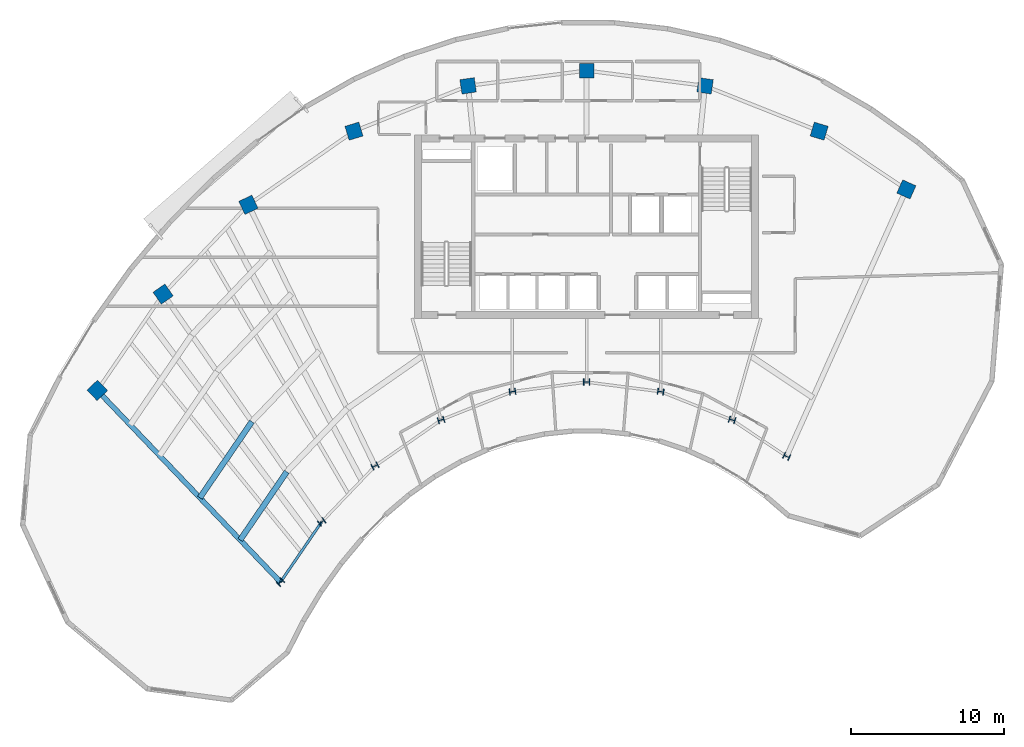
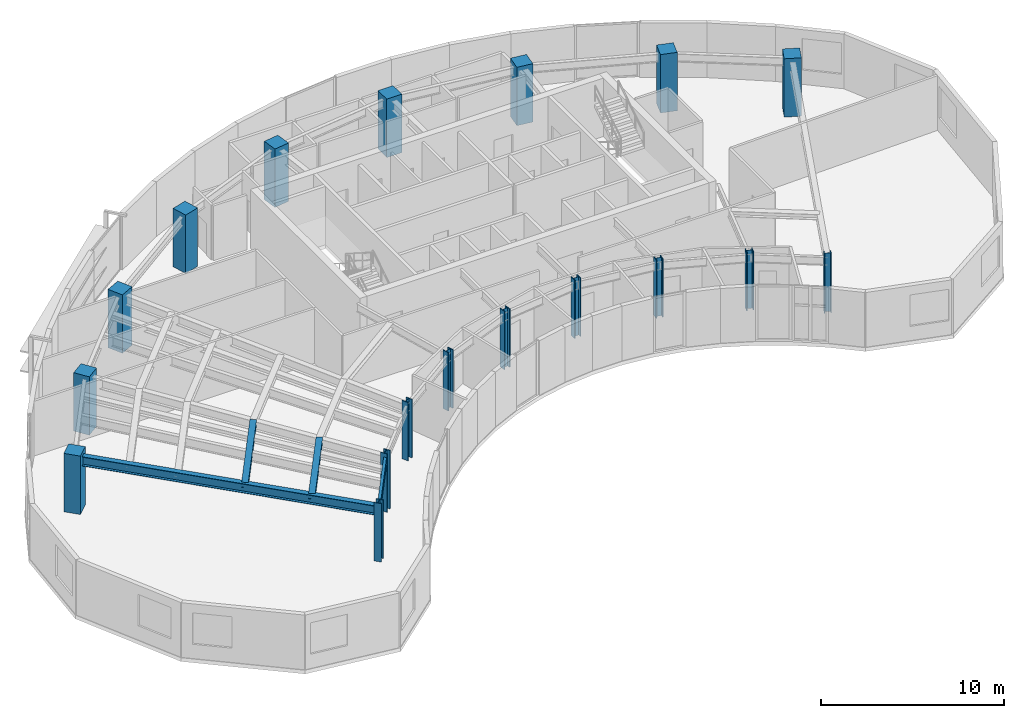
# One storey, part 1 of 12: 18 columns, 4 beams.
"""IFC4 building model written with IfcOpenShell, lengths in metres."""

from ifc_helpers import new_model, si_unit, direction, frame, origin, origin_2d, place, context, subcontext, project, spatial, rectangle, i_section, extrude, source, transform, mapped, material, material_profile, profile_set, type_object, type_shapes, element, save


model = new_model("IFC4")

# Units and contexts
model_context = context("Model", 3, precision=1e-05, world=origin(), true_north=direction((0.0, 1.0)))
body_context = subcontext(model_context, "Body", "Model", "MODEL_VIEW")
ifc_project = project(units=[si_unit("LENGTHUNIT", "METRE"), si_unit("AREAUNIT", "SQUARE_METRE"), si_unit("VOLUMEUNIT", "CUBIC_METRE"), si_unit("PLANEANGLEUNIT", "RADIAN"), si_unit("MASSUNIT", "GRAM", prefix="KILO")], contexts=[model_context])

# Site, building, storey
site_placement = place(None, origin())
site = spatial("IfcSite", under=ifc_project, at=site_placement, CompositionType="ELEMENT")
building_placement = place(site_placement, origin())
building = spatial("IfcBuilding", under=site, at=building_placement, Name="Breltana Convention Tower", CompositionType="ELEMENT")
storey_placement = place(building_placement, frame((0.0, 0.0, 239.10009765625)))
storey = spatial("IfcBuildingStorey", under=building, at=storey_placement, Name="L58", CompositionType="ELEMENT", Elevation=239.10009765625)

# Columns
ifc_material_1 = material(Name="Steel ASTM A992 Grade 50", Category="steel")
ifc_material_profile_1 = material_profile(ifc_material_1, i_section(OverallWidth=0.406005859375, OverallDepth=0.416015625, WebThickness=0.02978515625, FlangeThickness=0.048095703125, at=origin_2d()), Name="W14X257")
ifc_profile_set_1 = profile_set([ifc_material_profile_1], Name="Steel ASTM A992 Grade 50")
column_type_1 = type_object("IfcColumnType", Name="COL-STL-W14X257", PredefinedType="COLUMN", material=ifc_profile_set_1)
shared_shape_1 = source(origin(), body_context, "Body", "SweptSolid", [
    extrude(i_section(OverallWidth=0.406005859375, OverallDepth=0.416015625, WebThickness=0.02978515625, FlangeThickness=0.048095703125, at=origin_2d()), origin(), (0.0, 0.0, 1.0), 3.89990234375),
])
for number, where, z_axis, x_axis, name in (
    (1, (27.984619140625, 42.95458984375, 0.0), (0.0, 0.0, 1.0), (-0.690756218984, 0.723087716626, 0.0), "L58 Tower Column R01-IN"),
    (2, (30.67724609375, 46.892333984375, 0.0), (0.0, 0.0, 1.0), (-0.571143442153, 0.820850271661, 0.0), "L58 Tower Column R02-IN"),
    (3, (34.166259765625, 50.544921875, 0.0), (0.0, 0.0, 1.0), (-0.436173672171, 0.899862504889, 0.0), "L58 Tower Column R03-IN"),
    (4, (38.485107421875, 53.5576171875, 0.0), (0.0, 0.0, 1.0), (-0.288697611798, 0.957420330337, 0.0), "L58 Tower Column R04-IN"),
    (5, (43.153564453125, 55.41064453125, 0.0), (0.0, 0.0, 1.0), (-0.143492621991, 0.98965138682, 0.0), "L58 Tower Column R05-IN"),
    (6, (48.0, 56.035888671875, 0.0), (0.0, 0.0, 1.0), (0.0, 1.0, 0.0), "L58 Tower Column R06-IN"),
    (7, (52.846435546875, 55.41064453125, 0.0), (0.0, 0.0, 1.0), (0.143492621991, 0.98965138682, 0.0), "L58 Tower Column R07-IN"),
    (8, (57.514892578125, 53.5576171875, 0.0), (0.0, 0.0, 1.0), (0.288697611798, 0.957420330337, 0.0), "L58 Tower Column R08-IN"),
    (9, (61.08203125, 51.174560546875, 0.0), (0.0, 0.0, 1.0), (0.409126902895, 0.912477494148, 0.0), "L58 Tower Column R09-IN"),
):
    element("IfcColumn", number, at=place(storey_placement, frame(where, z_axis=z_axis, x_axis=x_axis)), inside=storey, type_object=column_type_1, Name=name, PredefinedType="COLUMN", context=body_context, shape_type="MappedRepresentation", body=[
        mapped(shared_shape_1, transform((0.0, 0.0, 0.0), scale=1.0)),
    ])
ifc_material_2 = material(Name="Concrete C50/60", Category="concrete")
ifc_material_profile_2 = material_profile(ifc_material_2, rectangle(XDim=0.949951171875, YDim=0.949951171875, at=origin_2d()), Name="RC-COL-950X950")
ifc_profile_set_2 = profile_set([ifc_material_profile_2], Name="Concrete C50/60")
column_type_2 = type_object("IfcColumnType", Name="COL-RC-950", PredefinedType="COLUMN", material=ifc_profile_set_2)
shared_shape_2 = source(origin(), body_context, "Body", "SweptSolid", [
    extrude(rectangle(XDim=0.949951171875, YDim=0.949951171875, at=origin_2d()), origin(), (0.0, 0.0, 1.0), 3.89990234375),
])
for number, where, z_axis, x_axis, name in (
    (10, (16.0068359375, 55.494384765625, 0.0), (0.0, 0.0, 1.0), (-0.690756218984, 0.723087716626, 0.0), "L58 Tower Column R01-OUT"),
    (11, (20.310791015625, 61.78857421875, 0.0), (0.0, 0.0, 1.0), (-0.571143442153, 0.820850271661, 0.0), "L58 Tower Column R02-OUT"),
    (12, (25.8876953125, 67.626953125, 0.0), (0.0, 0.0, 1.0), (-0.436173672171, 0.899862504889, 0.0), "L58 Tower Column R03-OUT"),
    (13, (32.791015625, 72.4423828125, 0.0), (0.0, 0.0, 1.0), (-0.288697611798, 0.957420330337, 0.0), "L58 Tower Column R04-OUT"),
    (14, (40.253173828125, 75.404296875, 0.0), (0.0, 0.0, 1.0), (-0.143492621991, 0.98965138682, 0.0), "L58 Tower Column R05-OUT"),
    (15, (48.0, 76.404052734375, 0.0), (0.0, 0.0, 1.0), (0.0, 1.0, 0.0), "L58 Tower Column R06-OUT"),
    (16, (55.746826171875, 75.404296875, 0.0), (0.0, 0.0, 1.0), (0.143492621991, 0.98965138682, 0.0), "L58 Tower Column R07-OUT"),
    (17, (63.208984375, 72.4423828125, 0.0), (0.0, 0.0, 1.0), (0.288697611798, 0.957420330337, 0.0), "L58 Tower Column R08-OUT"),
    (18, (68.910400390625, 68.63330078125, 0.0), (0.0, 0.0, 1.0), (0.409126902895, 0.912477494148, 0.0), "L58 Tower Column R09-OUT"),
):
    element("IfcColumn", number, at=place(storey_placement, frame(where, z_axis=z_axis, x_axis=x_axis)), inside=storey, type_object=column_type_2, Name=name, PredefinedType="COLUMN", context=body_context, shape_type="MappedRepresentation", body=[
        mapped(shared_shape_2, transform((0.0, 0.0, 0.0), scale=1.0)),
    ])

# Beams
ifc_material_profile_3 = material_profile(ifc_material_1, i_section(OverallWidth=0.166015625, OverallDepth=0.534912109375, WebThickness=0.01025390625, FlangeThickness=0.0166015625, at=origin_2d()), Name="W21X57")
ifc_profile_set_3 = profile_set([ifc_material_profile_3], Name="Steel ASTM A992 Grade 50")
beam_type_1 = type_object("IfcBeamType", Name="BM-BM-W21X57", PredefinedType="BEAM", material=ifc_profile_set_3)
shared_shape_3 = source(origin(), body_context, "Body", "SweptSolid", [
    extrude(i_section(OverallWidth=0.166015625, OverallDepth=0.534912109375, WebThickness=0.01025390625, FlangeThickness=0.0166015625, at=origin_2d()), origin(), (0.0, 0.0, 1.0), 4.770263671875),
])
beam_1_placement = place(storey_placement, frame((27.984619140625, 42.95458984375, 3.38232421875), z_axis=(0.564452719055, 0.82546540082, 0.0), x_axis=(-0.82546540082, 0.564452719055, 0.0)))
element("IfcBeam", 19, at=beam_1_placement, inside=storey, type_object=beam_type_1, Name="L58 Inner Ring Beam 01", PredefinedType="BEAM", context=body_context, shape_type="MappedRepresentation", body=[
    mapped(shared_shape_3, transform((0.0, 0.0, 0.0), scale=1.0)),
])
ifc_material_profile_4 = material_profile(ifc_material_1, i_section(OverallWidth=0.368896484375, OverallDepth=0.35595703125, WebThickness=0.01123046875, FlangeThickness=0.01806640625, at=origin_2d()), Name="W14X90")
ifc_profile_set_4 = profile_set([ifc_material_profile_4], Name="Steel ASTM A992 Grade 50")
beam_type_2 = type_object("IfcBeamType", Name="BM-JSG-09", PredefinedType="JOIST", material=ifc_profile_set_4)
shared_shape_4 = source(origin(), body_context, "Body", "SweptSolid", [
    extrude(i_section(OverallWidth=0.368896484375, OverallDepth=0.35595703125, WebThickness=0.01123046875, FlangeThickness=0.01806640625, at=origin_2d()), origin(), (0.0, 0.0, 1.0), 5.3984375),
])
beam_2_placement = place(storey_placement, frame((25.349365234375, 45.71337890625, 3.471923828125), z_axis=(0.564440705434, 0.825473615599, 0.0), x_axis=(-0.825473615599, 0.564440705434, 0.0)))
element("IfcBeam", 20, at=beam_2_placement, inside=storey, type_object=beam_type_2, Name="L58 Composite Floor Joist 01.1", PredefinedType="JOIST", context=body_context, shape_type="MappedRepresentation", body=[
    mapped(shared_shape_4, transform((0.0, 0.0, 0.0), scale=1.0)),
])
shared_shape_5 = source(origin(), body_context, "Body", "SweptSolid", [
    extrude(i_section(OverallWidth=0.368896484375, OverallDepth=0.35595703125, WebThickness=0.01123046875, FlangeThickness=0.01806640625, at=origin_2d()), origin(), (0.0, 0.0, 1.0), 6.0263671875),
])
beam_3_placement = place(storey_placement, frame((22.71435546875, 48.47216796875, 3.471923828125), z_axis=(0.564450071397, 0.825467211281, 0.0), x_axis=(-0.825467211281, 0.564450071397, 0.0)))
element("IfcBeam", 21, at=beam_3_placement, inside=storey, type_object=beam_type_2, Name="L58 Composite Floor Joist 01.2", PredefinedType="JOIST", context=body_context, shape_type="MappedRepresentation", body=[
    mapped(shared_shape_5, transform((0.0, 0.0, 0.0), scale=1.0)),
])
ifc_material_profile_5 = material_profile(ifc_material_1, i_section(OverallWidth=0.326904296875, OverallDepth=0.6220703125, WebThickness=0.015380859375, FlangeThickness=0.0244140625, at=origin_2d()), Name="W24X131")
ifc_profile_set_5 = profile_set([ifc_material_profile_5], Name="Steel ASTM A992 Grade 50")
beam_type_3 = type_object("IfcBeamType", Name="BM-RG-W24X131", PredefinedType="USERDEFINED", material=ifc_profile_set_5)
shared_shape_6 = source(origin(), body_context, "Body", "SweptSolid", [
    extrude(i_section(OverallWidth=0.326904296875, OverallDepth=0.6220703125, WebThickness=0.015380859375, FlangeThickness=0.0244140625, at=origin_2d()), origin(), (0.0, 0.0, 1.0), 17.341064453125),
])
type_shapes(beam_type_3, [shared_shape_6])
beam_4_placement = place(storey_placement, frame((27.984619140625, 42.95458984375, 3.3388671875), z_axis=(-0.690716462293, 0.723125693581, 0.0), x_axis=(-0.723125693581, -0.690716462293, 0.0)))
element("IfcBeam", 22, at=beam_4_placement, inside=storey, type_object=beam_type_3, Name="L58 Radial Floor Girder R01", ObjectType="GIRDER", PredefinedType="USERDEFINED", context=body_context, shape_type="MappedRepresentation", body=[
    mapped(shared_shape_6, transform((0.0, 0.0, 0.0), scale=1.0)),
])

save(model, "model.ifc")
